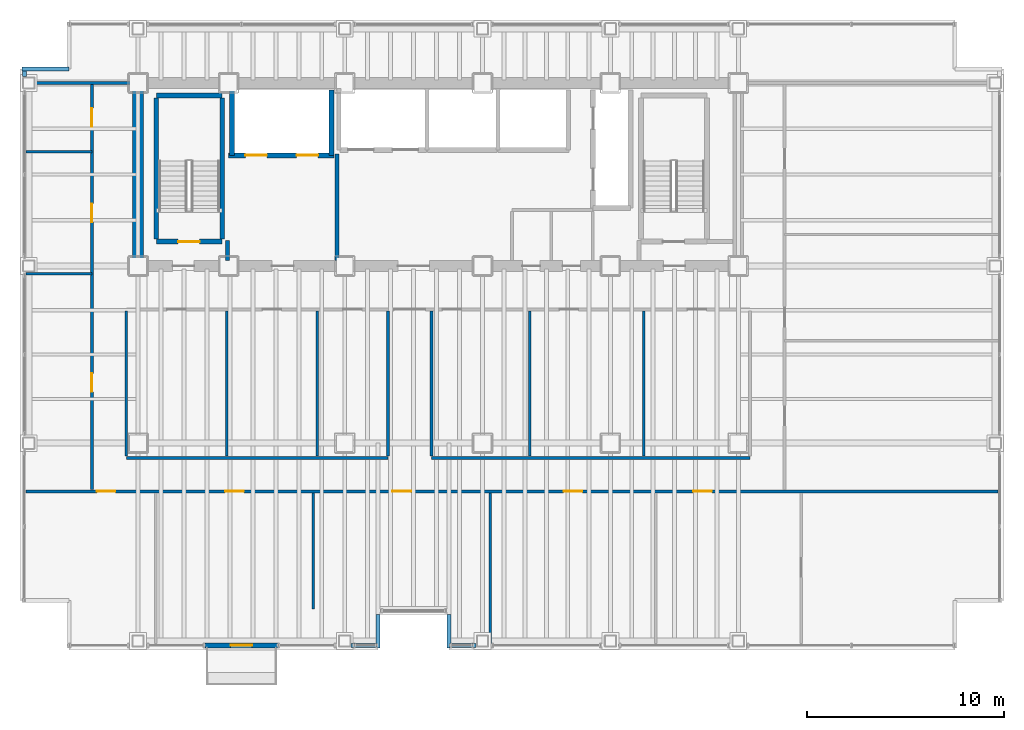
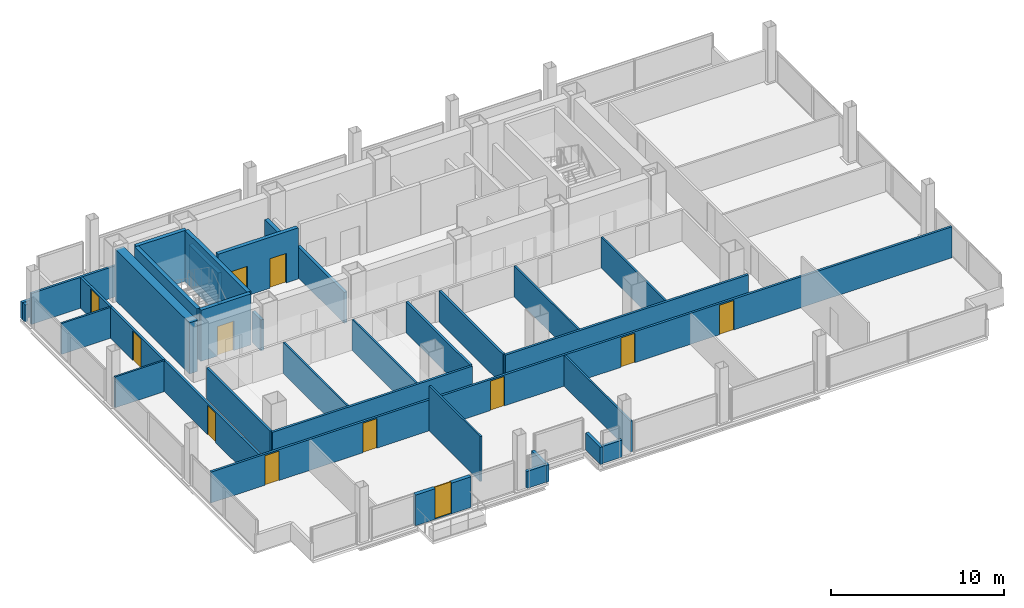
# One storey, part 18 of 21: 33 walls, 12 doors, 12 openings.
"""IFC4 building model written with IfcOpenShell, lengths in metres."""

from ifc_helpers import new_model, si_unit, direction, frame, frame_2d, origin, place, context, subcontext, project, spatial, rectangle, extrude, material, layer, layer_set, type_object, element, fill, save


model = new_model("IFC4")

# Units and contexts
model_context = context("Model", 3, precision=1e-05, world=origin(), true_north=direction((0.0, 1.0)))
body_context = subcontext(model_context, "Body", "Model", "MODEL_VIEW")
ifc_project = project(units=[si_unit("LENGTHUNIT", "METRE"), si_unit("AREAUNIT", "SQUARE_METRE"), si_unit("VOLUMEUNIT", "CUBIC_METRE"), si_unit("PLANEANGLEUNIT", "RADIAN"), si_unit("MASSUNIT", "GRAM", prefix="KILO")], contexts=[model_context])

# Site, building, storey
site_placement = place(None, origin())
site = spatial("IfcSite", under=ifc_project, at=site_placement, CompositionType="ELEMENT")
building_placement = place(site_placement, origin())
building = spatial("IfcBuilding", under=site, at=building_placement, Name="Noeulbin Bourse Tower", CompositionType="ELEMENT")
storey_placement = place(building_placement, frame((0.0, 0.0, 96.699951171875)))
storey = spatial("IfcBuildingStorey", under=building, at=storey_placement, Name="L24", CompositionType="ELEMENT", Elevation=96.699951171875)

# Wall
ifc_material_1 = material(Name="Concrete C60/75", Category="concrete")
ifc_layer_1 = layer(ifc_material_1, 0.550048828125)
ifc_layer_set_1 = layer_set([ifc_layer_1], Name="Concrete C60/75")
wall_type_1 = type_object("IfcWallType", Name="WAL-CORE-550", PredefinedType="SHEAR", material=ifc_layer_set_1)
wall_1_placement = place(storey_placement, frame((13.5, 29.35009765625, 0.0), z_axis=(0.0, 0.0, 1.0), x_axis=(0.0, 1.0, 0.0)))
element("IfcWall", 1, at=wall_1_placement, inside=storey, type_object=wall_type_1, Name="Rear Core West Shear Wall L24", PredefinedType="SHEAR", context=body_context, shape_type="SweptSolid", body=[
    extrude(rectangle(XDim=8.599853515625, YDim=0.550048828125, at=frame_2d((4.2998046875, 0.0))), origin(), (0.0, 0.0, 1.0), 3.60009765625),
])

# Wall, opening, door
ifc_material_2 = material(Name="Precast Concrete C40/50", Category="concrete")
ifc_layer_2 = layer(ifc_material_2, 0.25)
ifc_layer_set_2 = layer_set([ifc_layer_2], Name="Precast Concrete C40/50")
wall_type_2 = type_object("IfcWallType", Name="WAL-EXT-250", PredefinedType="STANDARD", material=ifc_layer_set_2)
wall_2_placement = place(storey_placement, frame((16.89990234375, 9.719970703125, 0.0), z_axis=(0.0, 0.0, 1.0), x_axis=(1.0, 0.0, 0.0)))
wall_2 = element("IfcWall", 2, at=wall_2_placement, inside=storey, type_object=wall_type_2, Name="Balcony Threshold Wall L24", PredefinedType="STANDARD", context=body_context, shape_type="SweptSolid", body=[
    extrude(rectangle(XDim=3.7001953125, YDim=0.25, at=frame_2d((1.85009765625, 0.0))), origin(), (0.0, 0.0, 1.0), 2.16015625),
])
opening_1_placement = place(wall_2_placement, frame((1.300048828125, 0.0, 0.0)))
opening_1 = element("IfcOpeningElement", 3, at=opening_1_placement, cuts=wall_2, Name="Opening BD-11", PredefinedType="OPENING", context=body_context, shape_type="SweptSolid", body=[
    extrude(rectangle(XDim=1.10009765625, YDim=2.199951171875, at=frame_2d((0.550048828125, 1.10009765625))), frame((0.0, 0.135009765625, 0.0), z_axis=(0.0, -1.0, 0.0), x_axis=(1.0, 0.0, 0.0)), (0.0, 0.0, 1.0), 0.27001953125),
])
ifc_material_3 = material(Name="Thermally Broken Aluminium Framed Glass", Category="aluminium")
door_type_1 = type_object("IfcDoorType", Name="DR-BAL-1100", OperationType="SINGLE_SWING_LEFT", PredefinedType="DOOR", material=ifc_material_3)
door_1_placement = place(opening_1_placement, origin())
door_1 = element("IfcDoor", 4, at=door_1_placement, inside=storey, type_object=door_type_1, Name="Tree-Balcony Access Door BD-L24", OperationType="SINGLE_SWING_RIGHT", OverallHeight=2.199951171875, OverallWidth=1.10009765625, PredefinedType="DOOR", context=body_context, shape_type="SweptSolid", body=[
    extrude(rectangle(XDim=1.10009765625, YDim=2.199951171875, at=frame_2d((0.550048828125, 1.10009765625))), frame((0.0, 0.02490234375, 0.0), z_axis=(0.0, -1.0, 0.0), x_axis=(1.0, 0.0, 0.0)), (0.0, 0.0, 1.0), 0.050048828125),
])
fill(opening_1, door_1)

# Walls
ifc_material_4 = material(Name="Concrete C40/50", Category="concrete")
ifc_layer_3 = layer(ifc_material_4, 0.199951171875)
ifc_layer_set_3 = layer_set([ifc_layer_3], Name="Concrete C40/50")
wall_type_3 = type_object("IfcWallType", Name="WAL-FIRE-200", PredefinedType="STANDARD", material=ifc_layer_set_3)
wall_3_placement = place(storey_placement, frame((18.050048828125, 29.284912109375, 0.0), z_axis=(0.0, 0.0, 1.0), x_axis=(0.0, 1.0, 0.0)))
element("IfcWall", 5, at=wall_3_placement, inside=storey, type_object=wall_type_3, Name="Interior Partition Wall L24-13", PredefinedType="STANDARD", context=body_context, shape_type="SweptSolid", body=[
    extrude(rectangle(XDim=1.01513671875, YDim=0.199951171875, at=frame_2d((0.507568359375, 0.0))), origin(), (0.0, 0.0, 1.0), 2.179931640625),
])
wall_4_placement = place(storey_placement, frame((23.60009765625, 29.284912109375, 0.0), z_axis=(0.0, 0.0, 1.0), x_axis=(0.0, 1.0, 0.0)))
element("IfcWall", 6, at=wall_4_placement, inside=storey, type_object=wall_type_3, Name="Interior Partition Wall L24-15", PredefinedType="STANDARD", context=body_context, shape_type="SweptSolid", body=[
    extrude(rectangle(XDim=5.4150390625, YDim=0.199951171875, at=frame_2d((2.70751953125, 0.0))), origin(), (0.0, 0.0, 1.0), 2.179931640625),
])
ifc_layer_4 = layer(ifc_material_4, 0.199951171875)
ifc_layer_set_4 = layer_set([ifc_layer_4], Name="Concrete C40/50")
wall_type_4 = type_object("IfcWallType", Name="WAL-PAR-200", PredefinedType="PARAPET", material=ifc_layer_set_4)
wall_5_placement = place(storey_placement, frame((7.719970703125, 38.6201171875, 0.0), z_axis=(0.0, 0.0, 1.0), x_axis=(0.0, 1.0, 0.0)))
element("IfcWall", 7, at=wall_5_placement, inside=storey, type_object=wall_type_4, Name="Perimeter Pier Spandrel Parapet L24-W1", PredefinedType="PARAPET", context=body_context, shape_type="SweptSolid", body=[
    extrude(rectangle(XDim=0.27978515625, YDim=0.199951171875, at=frame_2d((0.139892578125, 0.0))), origin(), (0.0, 0.0, 1.0), 1.199951171875),
])
for number, where, z_axis, x_axis, name in (
    (8, (24.320068359375, 9.719970703125, 0.0), (0.0, 0.0, 1.0), (1.0, 0.0, 0.0), "Perimeter Pier Spandrel Parapet L24-S3"),
    (9, (29.35009765625, 9.719970703125, 0.0), (0.0, 0.0, 1.0), (1.0, 0.0, 0.0), "Perimeter Pier Spandrel Parapet L24-S4"),
):
    element("IfcWall", number, at=place(storey_placement, frame(where, z_axis=z_axis, x_axis=x_axis)), inside=storey, type_object=wall_type_4, Name=name, PredefinedType="PARAPET", context=body_context, shape_type="SweptSolid", body=[
        extrude(rectangle(XDim=1.329833984375, YDim=0.199951171875, at=frame_2d((0.6650390625, 0.0))), origin(), (0.0, 0.0, 1.0), 1.199951171875),
    ])
wall_6_placement = place(storey_placement, frame((7.60009765625, 39.0, 0.0), z_axis=(0.0, 0.0, 1.0), x_axis=(1.0, 0.0, 0.0)))
element("IfcWall", 10, at=wall_6_placement, inside=storey, type_object=wall_type_4, Name="Corner Notch Parapet L24-NW1", PredefinedType="PARAPET", context=body_context, shape_type="SweptSolid", body=[
    extrude(rectangle(XDim=2.39990234375, YDim=0.199951171875, at=frame_2d((1.199951171875, 0.0))), origin(), (0.0, 0.0, 1.0), 1.199951171875),
])
for number, where, z_axis, x_axis, name in (
    (11, (25.699951171875, 9.60009765625, 0.0), (0.0, 0.0, 1.0), (0.0, 1.0, 0.0), "Sky-Garden Recess Parapet L24-W"),
    (12, (29.300048828125, 11.300048828125, 0.0), (0.0, 0.0, 1.0), (0.0, -1.0, 0.0), "Sky-Garden Recess Parapet L24-E"),
):
    element("IfcWall", number, at=place(storey_placement, frame(where, z_axis=z_axis, x_axis=x_axis)), inside=storey, type_object=wall_type_4, Name=name, PredefinedType="PARAPET", context=body_context, shape_type="SweptSolid", body=[
        extrude(rectangle(XDim=1.699951171875, YDim=0.199951171875, at=frame_2d((0.85009765625, 0.0))), origin(), (0.0, 0.0, 1.0), 1.199951171875),
    ])
ifc_material_5 = material(Name="Steel Stud Gypsum Partition", Category="steel")
ifc_layer_5 = layer(ifc_material_5, 0.1201171875)
ifc_layer_set_5 = layer_set([ifc_layer_5], Name="Steel Stud Gypsum Partition")
wall_type_5 = type_object("IfcWallType", Name="WAL-PRT-120", PredefinedType="PARTITIONING", material=ifc_layer_set_5)
for number, where, z_axis, x_axis, name in (
    (13, (7.81005859375, 28.60009765625, 0.0), (0.0, 0.0, 1.0), (1.0, 0.0, 0.0), "Interior Partition Wall L24-09"),
    (14, (7.81005859375, 34.800048828125, 0.0), (0.0, 0.0, 1.0), (1.0, 0.0, 0.0), "Interior Partition Wall L24-10"),
):
    element("IfcWall", number, at=place(storey_placement, frame(where, z_axis=z_axis, x_axis=x_axis)), inside=storey, type_object=wall_type_5, Name=name, PredefinedType="PARTITIONING", context=body_context, shape_type="SweptSolid", body=[
        extrude(rectangle(XDim=3.33984375, YDim=0.1201171875, at=frame_2d((1.669921875, 0.0))), origin(), (0.0, 0.0, 1.0), 2.179931640625),
    ])
wall_7_placement = place(storey_placement, frame((22.39990234375, 11.570068359375, 0.0), z_axis=(0.0, 0.0, 1.0), x_axis=(0.0, 1.0, 0.0)))
element("IfcWall", 15, at=wall_7_placement, inside=storey, type_object=wall_type_5, Name="Interior Partition Wall L24-26", PredefinedType="PARTITIONING", context=body_context, shape_type="SweptSolid", body=[
    extrude(rectangle(XDim=5.89501953125, YDim=0.1201171875, at=frame_2d((2.947509765625, 0.0))), origin(), (0.0, 0.0, 1.0), 3.179931640625),
])
wall_8_placement = place(storey_placement, frame((31.39990234375, 9.81005859375, 0.0), z_axis=(0.0, 0.0, 1.0), x_axis=(0.0, 1.0, 0.0)))
element("IfcWall", 16, at=wall_8_placement, inside=storey, type_object=wall_type_5, Name="Interior Partition Wall L24-27", PredefinedType="PARTITIONING", context=body_context, shape_type="SweptSolid", body=[
    extrude(rectangle(XDim=7.655029296875, YDim=0.1201171875, at=frame_2d((3.82763671875, 0.0))), origin(), (0.0, 0.0, 1.0), 2.179931640625),
])
for number, where, z_axis, x_axis, name in (
    (17, (18.0, 19.3349609375, 0.0), (0.0, 0.0, 1.0), (0.0, 1.0, 0.0), "Interior Partition Wall L24-30"),
    (18, (22.60009765625, 19.3349609375, 0.0), (0.0, 0.0, 1.0), (0.0, 1.0, 0.0), "Interior Partition Wall L24-31"),
    (19, (33.39990234375, 19.3349609375, 0.0), (0.0, 0.0, 1.0), (0.0, 1.0, 0.0), "Interior Partition Wall L24-32"),
    (20, (39.199951171875, 19.3349609375, 0.0), (0.0, 0.0, 1.0), (0.0, 1.0, 0.0), "Interior Partition Wall L24-33"),
):
    element("IfcWall", number, at=place(storey_placement, frame(where, z_axis=z_axis, x_axis=x_axis)), inside=storey, type_object=wall_type_5, Name=name, PredefinedType="PARTITIONING", context=body_context, shape_type="SweptSolid", body=[
        extrude(rectangle(XDim=7.380126953125, YDim=0.1201171875, at=frame_2d((3.68994140625, 0.0))), origin(), (0.0, 0.0, 1.0), 2.179931640625),
    ])

# Wall, openings, doors
ifc_material_6 = material(Name="Steel Stud Acoustic Gypsum Board", Category="steel")
ifc_layer_6 = layer(ifc_material_6, 0.14990234375)
ifc_layer_set_6 = layer_set([ifc_layer_6], Name="Steel Stud Acoustic Gypsum Board")
wall_type_6 = type_object("IfcWallType", Name="WAL-PRT-150", PredefinedType="PARTITIONING", material=ifc_layer_set_6)
wall_9_placement = place(storey_placement, frame((7.81005859375, 17.550048828125, 0.0), z_axis=(0.0, 0.0, 1.0), x_axis=(1.0, 0.0, 0.0)))
wall_9 = element("IfcWall", 21, at=wall_9_placement, inside=storey, type_object=wall_type_6, Name="Interior Partition Wall L24-04", PredefinedType="PARTITIONING", context=body_context, shape_type="SweptSolid", body=[
    extrude(rectangle(XDim=49.3798828125, YDim=0.14990234375, at=frame_2d((24.68994140625, 0.0))), origin(), (0.0, 0.0, 1.0), 2.179931640625),
])
opening_2_placement = place(wall_9_placement, frame((3.590087890625, 0.0, 0.0)))
opening_2 = element("IfcOpeningElement", 22, at=opening_2_placement, cuts=wall_9, Name="Opening ID-09", PredefinedType="OPENING", context=body_context, shape_type="SweptSolid", body=[
    extrude(rectangle(XDim=0.949951171875, YDim=2.080078125, at=frame_2d((0.47509765625, 1.0400390625))), frame((0.0, 0.0849609375, 0.0), z_axis=(0.0, -1.0, 0.0), x_axis=(1.0, 0.0, 0.0)), (0.0, 0.0, 1.0), 0.169921875),
])
opening_3_placement = place(wall_9_placement, frame((10.114990234375, 0.0, 0.0)))
opening_3 = element("IfcOpeningElement", 23, at=opening_3_placement, cuts=wall_9, Name="Opening ID-09", PredefinedType="OPENING", context=body_context, shape_type="SweptSolid", body=[
    extrude(rectangle(XDim=0.949951171875, YDim=2.080078125, at=frame_2d((0.47509765625, 1.0400390625))), frame((0.0, 0.0849609375, 0.0), z_axis=(0.0, -1.0, 0.0), x_axis=(1.0, 0.0, 0.0)), (0.0, 0.0, 1.0), 0.169921875),
])
opening_4_placement = place(wall_9_placement, frame((18.614990234375, 0.0, 0.0)))
opening_4 = element("IfcOpeningElement", 24, at=opening_4_placement, cuts=wall_9, Name="Opening ID-09", PredefinedType="OPENING", context=body_context, shape_type="SweptSolid", body=[
    extrude(rectangle(XDim=0.949951171875, YDim=2.080078125, at=frame_2d((0.47509765625, 1.0400390625))), frame((0.0, 0.0849609375, 0.0), z_axis=(0.0, -1.0, 0.0), x_axis=(1.0, 0.0, 0.0)), (0.0, 0.0, 1.0), 0.169921875),
])
opening_5_placement = place(wall_9_placement, frame((27.31494140625, 0.0, 0.0)))
opening_5 = element("IfcOpeningElement", 25, at=opening_5_placement, cuts=wall_9, Name="Opening ID-09", PredefinedType="OPENING", context=body_context, shape_type="SweptSolid", body=[
    extrude(rectangle(XDim=0.949951171875, YDim=2.080078125, at=frame_2d((0.47509765625, 1.0400390625))), frame((0.0, 0.0849609375, 0.0), z_axis=(0.0, -1.0, 0.0), x_axis=(1.0, 0.0, 0.0)), (0.0, 0.0, 1.0), 0.169921875),
])
opening_6_placement = place(wall_9_placement, frame((33.889892578125, 0.0, 0.0)))
opening_6 = element("IfcOpeningElement", 26, at=opening_6_placement, cuts=wall_9, Name="Opening ID-09", PredefinedType="OPENING", context=body_context, shape_type="SweptSolid", body=[
    extrude(rectangle(XDim=0.949951171875, YDim=2.080078125, at=frame_2d((0.47509765625, 1.0400390625))), frame((0.0, 0.0849609375, 0.0), z_axis=(0.0, -1.0, 0.0), x_axis=(1.0, 0.0, 0.0)), (0.0, 0.0, 1.0), 0.169921875),
])
ifc_material_7 = material(Name="Acoustic Solid-Core Timber", Category="wood")
door_type_2 = type_object("IfcDoorType", Name="DR-SINGLE-950", OperationType="SINGLE_SWING_LEFT", PredefinedType="DOOR", material=ifc_material_7)
door_2_placement = place(opening_2_placement, origin())
door_2 = element("IfcDoor", 27, at=door_2_placement, inside=storey, type_object=door_type_2, Name="Interior Door L24-08", OperationType="SINGLE_SWING_LEFT", OverallHeight=2.080078125, OverallWidth=0.949951171875, PredefinedType="DOOR", context=body_context, shape_type="SweptSolid", body=[
    extrude(rectangle(XDim=0.949951171875, YDim=2.080078125, at=frame_2d((0.47509765625, 1.0400390625))), frame((0.0, 0.02490234375, 0.0), z_axis=(0.0, -1.0, 0.0), x_axis=(1.0, 0.0, 0.0)), (0.0, 0.0, 1.0), 0.050048828125),
])
fill(opening_2, door_2)
door_3_placement = place(opening_3_placement, origin())
door_3 = element("IfcDoor", 28, at=door_3_placement, inside=storey, type_object=door_type_2, Name="Interior Door L24-09", OperationType="SINGLE_SWING_RIGHT", OverallHeight=2.080078125, OverallWidth=0.949951171875, PredefinedType="DOOR", context=body_context, shape_type="SweptSolid", body=[
    extrude(rectangle(XDim=0.949951171875, YDim=2.080078125, at=frame_2d((0.47509765625, 1.0400390625))), frame((0.0, 0.02490234375, 0.0), z_axis=(0.0, -1.0, 0.0), x_axis=(1.0, 0.0, 0.0)), (0.0, 0.0, 1.0), 0.050048828125),
])
fill(opening_3, door_3)
door_4_placement = place(opening_4_placement, origin())
door_4 = element("IfcDoor", 29, at=door_4_placement, inside=storey, type_object=door_type_2, Name="Interior Door L24-10", OperationType="SINGLE_SWING_LEFT", OverallHeight=2.080078125, OverallWidth=0.949951171875, PredefinedType="DOOR", context=body_context, shape_type="SweptSolid", body=[
    extrude(rectangle(XDim=0.949951171875, YDim=2.080078125, at=frame_2d((0.47509765625, 1.0400390625))), frame((0.0, 0.02490234375, 0.0), z_axis=(0.0, -1.0, 0.0), x_axis=(1.0, 0.0, 0.0)), (0.0, 0.0, 1.0), 0.050048828125),
])
fill(opening_4, door_4)
door_5_placement = place(opening_5_placement, origin())
door_5 = element("IfcDoor", 30, at=door_5_placement, inside=storey, type_object=door_type_2, Name="Interior Door L24-11", OperationType="SINGLE_SWING_RIGHT", OverallHeight=2.080078125, OverallWidth=0.949951171875, PredefinedType="DOOR", context=body_context, shape_type="SweptSolid", body=[
    extrude(rectangle(XDim=0.949951171875, YDim=2.080078125, at=frame_2d((0.47509765625, 1.0400390625))), frame((0.0, 0.02490234375, 0.0), z_axis=(0.0, -1.0, 0.0), x_axis=(1.0, 0.0, 0.0)), (0.0, 0.0, 1.0), 0.050048828125),
])
fill(opening_5, door_5)
door_6_placement = place(opening_6_placement, origin())
door_6 = element("IfcDoor", 31, at=door_6_placement, inside=storey, type_object=door_type_2, Name="Interior Door L24-12", OperationType="SINGLE_SWING_LEFT", OverallHeight=2.080078125, OverallWidth=0.949951171875, PredefinedType="DOOR", context=body_context, shape_type="SweptSolid", body=[
    extrude(rectangle(XDim=0.949951171875, YDim=2.080078125, at=frame_2d((0.47509765625, 1.0400390625))), frame((0.0, 0.02490234375, 0.0), z_axis=(0.0, -1.0, 0.0), x_axis=(1.0, 0.0, 0.0)), (0.0, 0.0, 1.0), 0.050048828125),
])
fill(opening_6, door_6)

# Walls
wall_10_placement = place(storey_placement, frame((12.89990234375, 19.25, 0.0), z_axis=(0.0, 0.0, 1.0), x_axis=(1.0, 0.0, 0.0)))
element("IfcWall", 32, at=wall_10_placement, inside=storey, type_object=wall_type_6, Name="Interior Partition Wall L24-05", PredefinedType="PARTITIONING", context=body_context, shape_type="SweptSolid", body=[
    extrude(rectangle(XDim=13.300048828125, YDim=0.14990234375, at=frame_2d((6.64990234375, 0.0))), origin(), (0.0, 0.0, 1.0), 2.179931640625),
])
wall_11_placement = place(storey_placement, frame((28.39990234375, 19.25, 0.0), z_axis=(0.0, 0.0, 1.0), x_axis=(1.0, 0.0, 0.0)))
element("IfcWall", 33, at=wall_11_placement, inside=storey, type_object=wall_type_6, Name="Interior Partition Wall L24-06", PredefinedType="PARTITIONING", context=body_context, shape_type="SweptSolid", body=[
    extrude(rectangle(XDim=16.2001953125, YDim=0.14990234375, at=frame_2d((8.10009765625, 0.0))), origin(), (0.0, 0.0, 1.0), 2.179931640625),
])
wall_12_placement = place(storey_placement, frame((7.81005859375, 38.300048828125, 0.0), z_axis=(0.0, 0.0, 1.0), x_axis=(1.0, 0.0, 0.0)))
element("IfcWall", 34, at=wall_12_placement, inside=storey, type_object=wall_type_6, Name="Interior Partition Wall L24-07", PredefinedType="PARTITIONING", context=body_context, shape_type="SweptSolid", body=[
    extrude(rectangle(XDim=5.68994140625, YDim=0.14990234375, at=frame_2d((2.844970703125, 0.0))), origin(), (0.0, 0.0, 1.0), 2.179931640625),
])
for number, where, z_axis, x_axis, name in (
    (35, (26.199951171875, 19.3349609375, 0.0), (0.0, 0.0, 1.0), (0.0, 1.0, 0.0), "Interior Partition Wall L24-19"),
    (36, (28.39990234375, 19.3349609375, 0.0), (0.0, 0.0, 1.0), (0.0, 1.0, 0.0), "Interior Partition Wall L24-20"),
):
    element("IfcWall", number, at=place(storey_placement, frame(where, z_axis=z_axis, x_axis=x_axis)), inside=storey, type_object=wall_type_6, Name=name, PredefinedType="PARTITIONING", context=body_context, shape_type="SweptSolid", body=[
        extrude(rectangle(XDim=7.380126953125, YDim=0.14990234375, at=frame_2d((3.68994140625, 0.0))), origin(), (0.0, 0.0, 1.0), 2.179931640625),
    ])

# Wall, openings, doors
wall_13_placement = place(storey_placement, frame((11.14990234375, 17.635009765625, 0.0), z_axis=(0.0, 0.0, 1.0), x_axis=(0.0, 1.0, 0.0)))
wall_13 = element("IfcWall", 37, at=wall_13_placement, inside=storey, type_object=wall_type_6, Name="Interior Partition Wall L24-21", PredefinedType="PARTITIONING", context=body_context, shape_type="SweptSolid", body=[
    extrude(rectangle(XDim=20.580078125, YDim=0.14990234375, at=frame_2d((10.2900390625, 0.0))), origin(), (0.0, 0.0, 1.0), 2.179931640625),
])
opening_7_placement = place(wall_13_placement, frame((4.965087890625, 0.0, 0.0)))
opening_7 = element("IfcOpeningElement", 38, at=opening_7_placement, cuts=wall_13, Name="Opening ID-09", PredefinedType="OPENING", context=body_context, shape_type="SweptSolid", body=[
    extrude(rectangle(XDim=0.949951171875, YDim=2.080078125, at=frame_2d((0.47509765625, 1.0400390625))), frame((0.0, 0.0849609375, 0.0), z_axis=(0.0, -1.0, 0.0), x_axis=(1.0, 0.0, 0.0)), (0.0, 0.0, 1.0), 0.169921875),
])
opening_8_placement = place(wall_13_placement, frame((13.590087890625, 0.0, 0.0)))
opening_8 = element("IfcOpeningElement", 39, at=opening_8_placement, cuts=wall_13, Name="Opening ID-09", PredefinedType="OPENING", context=body_context, shape_type="SweptSolid", body=[
    extrude(rectangle(XDim=0.949951171875, YDim=2.080078125, at=frame_2d((0.47509765625, 1.0400390625))), frame((0.0, 0.0849609375, 0.0), z_axis=(0.0, -1.0, 0.0), x_axis=(1.0, 0.0, 0.0)), (0.0, 0.0, 1.0), 0.169921875),
])
opening_9_placement = place(wall_13_placement, frame((18.43994140625, 0.0, 0.0)))
opening_9 = element("IfcOpeningElement", 40, at=opening_9_placement, cuts=wall_13, Name="Opening ID-09", PredefinedType="OPENING", context=body_context, shape_type="SweptSolid", body=[
    extrude(rectangle(XDim=0.949951171875, YDim=2.080078125, at=frame_2d((0.47509765625, 1.0400390625))), frame((0.0, 0.0849609375, 0.0), z_axis=(0.0, -1.0, 0.0), x_axis=(1.0, 0.0, 0.0)), (0.0, 0.0, 1.0), 0.169921875),
])
door_7_placement = place(opening_7_placement, origin())
door_7 = element("IfcDoor", 41, at=door_7_placement, inside=storey, type_object=door_type_2, Name="Interior Door L24-20", OperationType="SINGLE_SWING_LEFT", OverallHeight=2.080078125, OverallWidth=0.949951171875, PredefinedType="DOOR", context=body_context, shape_type="SweptSolid", body=[
    extrude(rectangle(XDim=0.949951171875, YDim=2.080078125, at=frame_2d((0.47509765625, 1.0400390625))), frame((0.0, 0.02490234375, 0.0), z_axis=(0.0, -1.0, 0.0), x_axis=(1.0, 0.0, 0.0)), (0.0, 0.0, 1.0), 0.050048828125),
])
fill(opening_7, door_7)
door_8_placement = place(opening_8_placement, origin())
door_8 = element("IfcDoor", 42, at=door_8_placement, inside=storey, type_object=door_type_2, Name="Interior Door L24-21", OperationType="SINGLE_SWING_RIGHT", OverallHeight=2.080078125, OverallWidth=0.949951171875, PredefinedType="DOOR", context=body_context, shape_type="SweptSolid", body=[
    extrude(rectangle(XDim=0.949951171875, YDim=2.080078125, at=frame_2d((0.47509765625, 1.0400390625))), frame((0.0, 0.02490234375, 0.0), z_axis=(0.0, -1.0, 0.0), x_axis=(1.0, 0.0, 0.0)), (0.0, 0.0, 1.0), 0.050048828125),
])
fill(opening_8, door_8)
door_9_placement = place(opening_9_placement, origin())
door_9 = element("IfcDoor", 43, at=door_9_placement, inside=storey, type_object=door_type_2, Name="Interior Door L24-22", OperationType="SINGLE_SWING_LEFT", OverallHeight=2.080078125, OverallWidth=0.949951171875, PredefinedType="DOOR", context=body_context, shape_type="SweptSolid", body=[
    extrude(rectangle(XDim=0.949951171875, YDim=2.080078125, at=frame_2d((0.47509765625, 1.0400390625))), frame((0.0, 0.02490234375, 0.0), z_axis=(0.0, -1.0, 0.0), x_axis=(1.0, 0.0, 0.0)), (0.0, 0.0, 1.0), 0.050048828125),
])
fill(opening_9, door_9)

# Wall
wall_14_placement = place(storey_placement, frame((12.89990234375, 19.3349609375, 0.0), z_axis=(0.0, 0.0, 1.0), x_axis=(0.0, 1.0, 0.0)))
element("IfcWall", 44, at=wall_14_placement, inside=storey, type_object=wall_type_6, Name="Interior Partition Wall L24-22", PredefinedType="PARTITIONING", context=body_context, shape_type="SweptSolid", body=[
    extrude(rectangle(XDim=7.380126953125, YDim=0.14990234375, at=frame_2d((3.68994140625, 0.0))), origin(), (0.0, 0.0, 1.0), 2.179931640625),
])

# Wall, opening, door
ifc_layer_7 = layer(ifc_material_4, 0.25)
ifc_layer_set_7 = layer_set([ifc_layer_7], Name="Concrete C40/50")
wall_type_7 = type_object("IfcWallType", Name="WAL-SHFT-250", PredefinedType="STANDARD", material=ifc_layer_set_7)
wall_15_placement = place(storey_placement, frame((14.429931640625, 30.235107421875, 0.0), z_axis=(0.0, 0.0, 1.0), x_axis=(1.0, 0.0, 0.0)))
wall_15 = element("IfcWall", 45, at=wall_15_placement, inside=storey, type_object=wall_type_7, Name="Stair ST-1 South Shaft Wall L24", PredefinedType="STANDARD", context=body_context, shape_type="SweptSolid", body=[
    extrude(rectangle(XDim=3.340087890625, YDim=0.25, at=frame_2d((1.669921875, 0.0))), origin(), (0.0, 0.0, 1.0), 3.60009765625),
])
opening_10_placement = place(wall_15_placement, frame((1.10009765625, 0.0, 0.0)))
opening_10 = element("IfcOpeningElement", 46, at=opening_10_placement, cuts=wall_15, Name="Opening FD-11", PredefinedType="OPENING", context=body_context, shape_type="SweptSolid", body=[
    extrude(rectangle(XDim=1.10009765625, YDim=2.080078125, at=frame_2d((0.550048828125, 1.0400390625))), frame((0.0, 0.135009765625, 0.0), z_axis=(0.0, -1.0, 0.0), x_axis=(1.0, 0.0, 0.0)), (0.0, 0.0, 1.0), 0.27001953125),
])
ifc_material_8 = material(Name="Fire-Rated Insulated Steel", Category="steel")
door_type_3 = type_object("IfcDoorType", Name="DR-FD60-1100", OperationType="SINGLE_SWING_LEFT", PredefinedType="DOOR", material=ifc_material_8)
door_10_placement = place(opening_10_placement, origin())
door_10 = element("IfcDoor", 47, at=door_10_placement, inside=storey, type_object=door_type_3, Name="Protected Stair Entry Door ST1-L24", OperationType="SINGLE_SWING_RIGHT", OverallHeight=2.080078125, OverallWidth=1.10009765625, PredefinedType="DOOR", context=body_context, shape_type="SweptSolid", body=[
    extrude(rectangle(XDim=1.10009765625, YDim=2.080078125, at=frame_2d((0.550048828125, 1.0400390625))), frame((0.0, 0.02490234375, 0.0), z_axis=(0.0, -1.0, 0.0), x_axis=(1.0, 0.0, 0.0)), (0.0, 0.0, 1.0), 0.050048828125),
])
fill(opening_10, door_10)

# Walls
wall_16_placement = place(storey_placement, frame((14.429931640625, 37.6689453125, 0.0), z_axis=(0.0, 0.0, 1.0), x_axis=(1.0, 0.0, 0.0)))
element("IfcWall", 48, at=wall_16_placement, inside=storey, type_object=wall_type_7, Name="Stair ST-1 North Shaft Wall L24", PredefinedType="STANDARD", context=body_context, shape_type="SweptSolid", body=[
    extrude(rectangle(XDim=3.340087890625, YDim=0.25, at=frame_2d((1.669921875, 0.0))), origin(), (0.0, 0.0, 1.0), 3.60009765625),
])
for number, where, z_axis, x_axis, name in (
    (49, (14.425048828125, 30.360107421875, 0.0), (0.0, 0.0, 1.0), (0.0, 1.0, 0.0), "Stair ST-1 West Shaft Wall L24"),
    (50, (17.77490234375, 30.360107421875, 0.0), (0.0, 0.0, 1.0), (0.0, 1.0, 0.0), "Stair ST-1 East Shaft Wall L24"),
):
    element("IfcWall", number, at=place(storey_placement, frame(where, z_axis=z_axis, x_axis=x_axis)), inside=storey, type_object=wall_type_7, Name=name, PredefinedType="STANDARD", context=body_context, shape_type="SweptSolid", body=[
        extrude(rectangle(XDim=7.183837890625, YDim=0.25, at=frame_2d((3.591796875, 0.0))), origin(), (0.0, 0.0, 1.0), 3.60009765625),
    ])

# Wall, openings, doors
wall_17_placement = place(storey_placement, frame((18.10009765625, 34.6201171875, 0.0), z_axis=(0.0, 0.0, 1.0), x_axis=(1.0, 0.0, 0.0)))
wall_17 = element("IfcWall", 51, at=wall_17_placement, inside=storey, type_object=wall_type_7, Name="Firefighting Lift Shaft Front L24", PredefinedType="STANDARD", context=body_context, shape_type="SweptSolid", body=[
    extrude(rectangle(XDim=5.349853515625, YDim=0.25, at=frame_2d((2.6748046875, 0.0))), origin(), (0.0, 0.0, 1.0), 3.60009765625),
])
opening_11_placement = place(wall_17_placement, frame((0.85009765625, 0.0, 0.0)))
opening_11 = element("IfcOpeningElement", 52, at=opening_11_placement, cuts=wall_17, Name="Opening LD-11", PredefinedType="OPENING", context=body_context, shape_type="SweptSolid", body=[
    extrude(rectangle(XDim=1.10009765625, YDim=2.080078125, at=frame_2d((0.550048828125, 1.0400390625))), frame((0.0, 0.135009765625, 0.0), z_axis=(0.0, -1.0, 0.0), x_axis=(1.0, 0.0, 0.0)), (0.0, 0.0, 1.0), 0.27001953125),
])
opening_12_placement = place(wall_17_placement, frame((3.449951171875, 0.0, 0.0)))
opening_12 = element("IfcOpeningElement", 53, at=opening_12_placement, cuts=wall_17, Name="Opening LD-11", PredefinedType="OPENING", context=body_context, shape_type="SweptSolid", body=[
    extrude(rectangle(XDim=1.10009765625, YDim=2.080078125, at=frame_2d((0.550048828125, 1.0400390625))), frame((0.0, 0.135009765625, 0.0), z_axis=(0.0, -1.0, 0.0), x_axis=(1.0, 0.0, 0.0)), (0.0, 0.0, 1.0), 0.27001953125),
])
ifc_material_9 = material(Name="Brushed Stainless Steel 316", Category="steel")
door_type_4 = type_object("IfcDoorType", Name="DR-LIFT-1100", OperationType="SLIDING_TO_LEFT", PredefinedType="DOOR", material=ifc_material_9)
door_11_placement = place(opening_11_placement, origin())
door_11 = element("IfcDoor", 54, at=door_11_placement, inside=storey, type_object=door_type_4, Name="Lift Landing Door LD-FL-01-L24", OperationType="SLIDING_TO_LEFT", OverallHeight=2.080078125, OverallWidth=1.10009765625, PredefinedType="DOOR", context=body_context, shape_type="SweptSolid", body=[
    extrude(rectangle(XDim=1.10009765625, YDim=2.080078125, at=frame_2d((0.550048828125, 1.0400390625))), frame((0.0, 0.02490234375, 0.0), z_axis=(0.0, -1.0, 0.0), x_axis=(1.0, 0.0, 0.0)), (0.0, 0.0, 1.0), 0.050048828125),
])
fill(opening_11, door_11)
door_12_placement = place(opening_12_placement, origin())
door_12 = element("IfcDoor", 55, at=door_12_placement, inside=storey, type_object=door_type_4, Name="Lift Landing Door LD-FL-02-L24", OperationType="SLIDING_TO_LEFT", OverallHeight=2.080078125, OverallWidth=1.10009765625, PredefinedType="DOOR", context=body_context, shape_type="SweptSolid", body=[
    extrude(rectangle(XDim=1.10009765625, YDim=2.080078125, at=frame_2d((0.550048828125, 1.0400390625))), frame((0.0, 0.02490234375, 0.0), z_axis=(0.0, -1.0, 0.0), x_axis=(1.0, 0.0, 0.0)), (0.0, 0.0, 1.0), 0.050048828125),
])
fill(opening_12, door_12)

# Walls
for number, where, z_axis, x_axis, name in (
    (56, (18.280029296875, 34.6201171875, 0.0), (0.0, 0.0, 1.0), (0.0, 1.0, 0.0), "Firefighting Lift West Shaft Wall L24"),
    (57, (23.320068359375, 34.6201171875, 0.0), (0.0, 0.0, 1.0), (0.0, 1.0, 0.0), "Firefighting Lift East Shaft Wall L24"),
):
    element("IfcWall", number, at=place(storey_placement, frame(where, z_axis=z_axis, x_axis=x_axis)), inside=storey, type_object=wall_type_7, Name=name, PredefinedType="STANDARD", context=body_context, shape_type="SweptSolid", body=[
        extrude(rectangle(XDim=3.329833984375, YDim=0.25, at=frame_2d((1.6650390625, 0.0))), origin(), (0.0, 0.0, 1.0), 2.179931640625),
    ])

save(model, "model.ifc")
